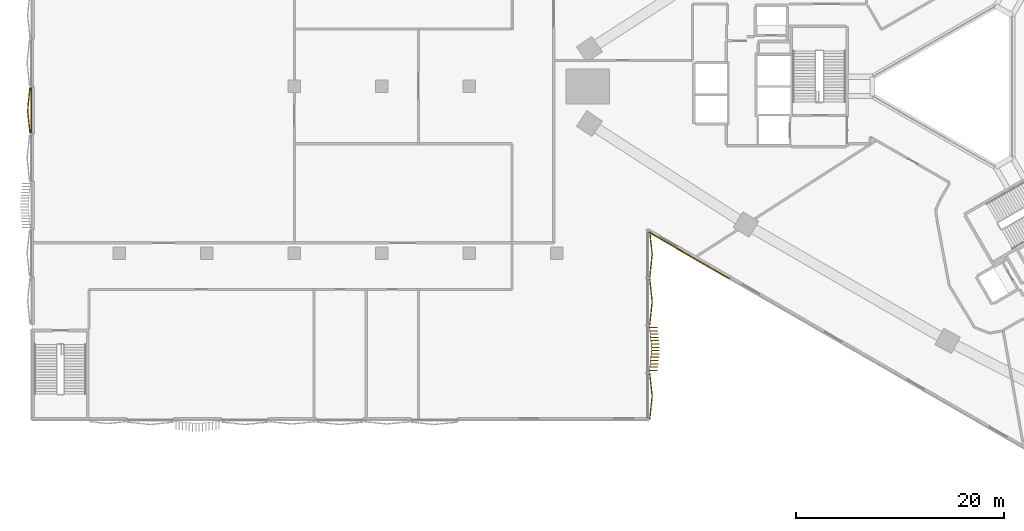
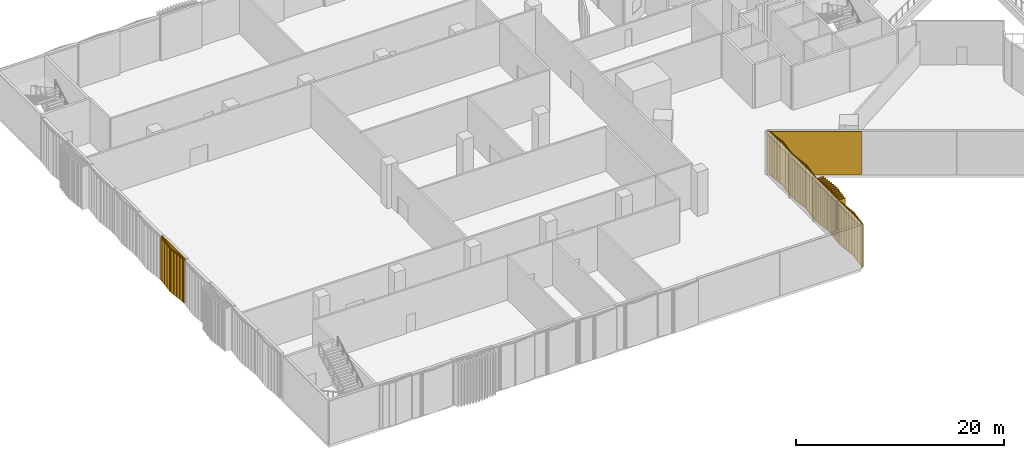
# One storey, part 24 of 31: 7 coverings.
"""IFC4 building model written with IfcOpenShell, lengths in metres."""

from ifc_helpers import new_model, si_unit, direction, frame, frame_2d, origin, origin_2d, place, context, subcontext, project, spatial, rectangle, extrude, source, transform, mapped, material, layer, layer_set, type_object, element, save


model = new_model("IFC4")

# Units and contexts
model_context = context("Model", 3, precision=1e-05, world=origin(), true_north=direction((0.0, 1.0)))
body_context = subcontext(model_context, "Body", "Model", "MODEL_VIEW")
ifc_project = project(units=[si_unit("LENGTHUNIT", "METRE"), si_unit("AREAUNIT", "SQUARE_METRE"), si_unit("VOLUMEUNIT", "CUBIC_METRE"), si_unit("PLANEANGLEUNIT", "RADIAN"), si_unit("MASSUNIT", "GRAM", prefix="KILO")], contexts=[model_context])

# Site, building, storey
site_placement = place(None, origin())
site = spatial("IfcSite", under=ifc_project, at=site_placement, CompositionType="ELEMENT")
building_placement = place(site_placement, origin())
building = spatial("IfcBuilding", under=site, at=building_placement, Name="Tamra Quay Hotel Tower", CompositionType="ELEMENT")
storey_placement = place(building_placement, frame((0.0, 0.0, 14.0)))
storey = spatial("IfcBuildingStorey", under=building, at=storey_placement, Name="L02", CompositionType="ELEMENT", Elevation=14.0)

# Coverings
ifc_material_1 = material(Name="Precast concrete M60 terracotta-coloured pierced relief", Category="masonry")
ifc_layer = layer(ifc_material_1, 0.10009765625)
ifc_layer_set = layer_set([ifc_layer], Name="PIERCED RELIEF PANEL 100")
covering_type_1 = type_object("IfcCoveringType", Name="PIERCED RELIEF PANEL 100", PredefinedType="CLADDING", material=ifc_layer_set)
covering_1_placement = place(storey_placement, frame((-26.070556640625, -16.182861328125, 0.0), z_axis=(0.0, 0.0, 1.0), x_axis=(0.866025403784, -0.5, 0.0)))
element("IfcCovering", 1, at=covering_1_placement, inside=storey, type_object=covering_type_1, Name="Relief panel L02.SW.00", PredefinedType="CLADDING", context=body_context, shape_type="SweptSolid", body=[
    extrude(rectangle(XDim=9.112548828125, YDim=0.10009765625, at=origin_2d()), origin(), (0.0, 0.0, 1.0), 5.14990234375),
])
covering_2_placement = place(storey_placement, frame((-89.14990234375, -2.28564453125, 0.0), z_axis=(0.0, 0.0, 1.0), x_axis=(0.0, -1.0, 0.0)))
element("IfcCovering", 2, at=covering_2_placement, inside=storey, type_object=covering_type_1, Name="Relief panel L02.W.05", PredefinedType="CLADDING", context=body_context, shape_type="SweptSolid", body=[
    extrude(rectangle(XDim=4.551513671875, YDim=0.10009765625, at=origin_2d()), origin(), (0.0, 0.0, 1.0), 5.14990234375),
])
ifc_material_2 = material(Name="Terracotta baguette extruded", Category="masonry")
covering_type_2 = type_object("IfcCoveringType", Name="BAGUETTE SCREEN PODIUM-SHALLOW H5150", PredefinedType="USERDEFINED", material=ifc_material_2)
shared_shape_1 = source(origin(), body_context, "Body", "SweptSolid", [
    extrude(rectangle(XDim=2.234619140625, YDim=0.06005859375, at=frame_2d((1.1171875, 0.030029296875))), frame((-2.228759765625, -0.0576171875, -0.1201171875), z_axis=(0.0, 0.0, 1.0), x_axis=(0.994521895368, -0.104528463268, 0.0)), (0.0, 0.0, 1.0), 0.1201171875),
    extrude(rectangle(XDim=2.234619140625, YDim=0.06005859375, at=frame_2d((1.1171875, 0.030029296875))), frame((-2.228759765625, -0.0576171875, -5.14990234375), z_axis=(0.0, 0.0, 1.0), x_axis=(0.994521895368, -0.104528463268, 0.0)), (0.0, 0.0, 1.0), 0.1201171875),
    extrude(rectangle(XDim=0.094970703125, YDim=0.10009765625, at=frame_2d((0.04736328125, 0.050048828125))), frame((-2.219482421875, -0.13330078125, -5.090087890625)), (0.0, 0.0, 1.0), 5.030029296875),
    extrude(rectangle(XDim=0.094970703125, YDim=0.10009765625, at=frame_2d((0.04736328125, 0.050048828125))), frame((-2.118408203125, -0.14404296875, -5.090087890625)), (0.0, 0.0, 1.0), 5.030029296875),
    extrude(rectangle(XDim=0.094970703125, YDim=0.10009765625, at=frame_2d((0.04736328125, 0.050048828125))), frame((-2.017333984375, -0.154541015625, -5.090087890625)), (0.0, 0.0, 1.0), 5.030029296875),
    extrude(rectangle(XDim=0.094970703125, YDim=0.10009765625, at=frame_2d((0.04736328125, 0.050048828125))), frame((-1.91650390625, -0.1650390625, -5.090087890625)), (0.0, 0.0, 1.0), 5.030029296875),
    extrude(rectangle(XDim=0.094970703125, YDim=0.10009765625, at=frame_2d((0.04736328125, 0.050048828125))), frame((-1.8154296875, -0.17578125, -5.090087890625)), (0.0, 0.0, 1.0), 5.030029296875),
    extrude(rectangle(XDim=0.094970703125, YDim=0.10009765625, at=frame_2d((0.04736328125, 0.050048828125))), frame((-1.71435546875, -0.186279296875, -5.090087890625)), (0.0, 0.0, 1.0), 5.030029296875),
    extrude(rectangle(XDim=0.094970703125, YDim=0.10009765625, at=frame_2d((0.04736328125, 0.050048828125))), frame((-1.61328125, -0.197021484375, -5.090087890625)), (0.0, 0.0, 1.0), 5.030029296875),
    extrude(rectangle(XDim=0.094970703125, YDim=0.10009765625, at=frame_2d((0.04736328125, 0.050048828125))), frame((-1.512451171875, -0.20751953125, -5.090087890625)), (0.0, 0.0, 1.0), 5.030029296875),
    extrude(rectangle(XDim=0.094970703125, YDim=0.10009765625, at=frame_2d((0.04736328125, 0.050048828125))), frame((-1.411376953125, -0.21826171875, -5.090087890625)), (0.0, 0.0, 1.0), 5.030029296875),
    extrude(rectangle(XDim=0.094970703125, YDim=0.10009765625, at=frame_2d((0.04736328125, 0.050048828125))), frame((-1.310302734375, -0.228759765625, -5.090087890625)), (0.0, 0.0, 1.0), 5.030029296875),
    extrude(rectangle(XDim=0.094970703125, YDim=0.10009765625, at=frame_2d((0.04736328125, 0.050048828125))), frame((-1.209228515625, -0.239501953125, -5.090087890625)), (0.0, 0.0, 1.0), 5.030029296875),
    extrude(rectangle(XDim=0.094970703125, YDim=0.10009765625, at=frame_2d((0.04736328125, 0.050048828125))), frame((-1.108154296875, -0.25, -5.090087890625)), (0.0, 0.0, 1.0), 5.030029296875),
    extrude(rectangle(XDim=0.094970703125, YDim=0.10009765625, at=frame_2d((0.04736328125, 0.050048828125))), frame((-1.00732421875, -0.2607421875, -5.090087890625)), (0.0, 0.0, 1.0), 5.030029296875),
    extrude(rectangle(XDim=0.094970703125, YDim=0.10009765625, at=frame_2d((0.04736328125, 0.050048828125))), frame((-0.90625, -0.271240234375, -5.090087890625)), (0.0, 0.0, 1.0), 5.030029296875),
    extrude(rectangle(XDim=0.094970703125, YDim=0.10009765625, at=frame_2d((0.04736328125, 0.050048828125))), frame((-0.80517578125, -0.281982421875, -5.090087890625)), (0.0, 0.0, 1.0), 5.030029296875),
    extrude(rectangle(XDim=0.094970703125, YDim=0.10009765625, at=frame_2d((0.04736328125, 0.050048828125))), frame((-0.7041015625, -0.29248046875, -5.090087890625)), (0.0, 0.0, 1.0), 5.030029296875),
    extrude(rectangle(XDim=0.094970703125, YDim=0.10009765625, at=frame_2d((0.04736328125, 0.050048828125))), frame((-0.60302734375, -0.30322265625, -5.090087890625)), (0.0, 0.0, 1.0), 5.030029296875),
    extrude(rectangle(XDim=0.094970703125, YDim=0.10009765625, at=frame_2d((0.04736328125, 0.050048828125))), frame((-0.502197265625, -0.313720703125, -5.090087890625)), (0.0, 0.0, 1.0), 5.030029296875),
    extrude(rectangle(XDim=0.094970703125, YDim=0.10009765625, at=frame_2d((0.04736328125, 0.050048828125))), frame((-0.401123046875, -0.324462890625, -5.090087890625)), (0.0, 0.0, 1.0), 5.030029296875),
    extrude(rectangle(XDim=0.094970703125, YDim=0.10009765625, at=frame_2d((0.04736328125, 0.050048828125))), frame((-0.300048828125, -0.3349609375, -5.090087890625)), (0.0, 0.0, 1.0), 5.030029296875),
    extrude(rectangle(XDim=0.094970703125, YDim=0.10009765625, at=frame_2d((0.04736328125, 0.050048828125))), frame((-0.198974609375, -0.345703125, -5.090087890625)), (0.0, 0.0, 1.0), 5.030029296875),
    extrude(rectangle(XDim=0.094970703125, YDim=0.10009765625, at=frame_2d((0.04736328125, 0.050048828125))), frame((-0.097900390625, -0.356201171875, -5.090087890625)), (0.0, 0.0, 1.0), 5.030029296875),
    extrude(rectangle(XDim=2.234619140625, YDim=0.06005859375, at=frame_2d((1.1171875, 0.030029296875))), frame((0.00634765625, -0.291259765625, -0.1201171875), z_axis=(0.0, 0.0, 1.0), x_axis=(0.994521895368, 0.104528463268, 0.0)), (0.0, 0.0, 1.0), 0.1201171875),
    extrude(rectangle(XDim=2.234619140625, YDim=0.06005859375, at=frame_2d((1.1171875, 0.030029296875))), frame((0.00634765625, -0.291259765625, -5.14990234375), z_axis=(0.0, 0.0, 1.0), x_axis=(0.994521895368, 0.104528463268, 0.0)), (0.0, 0.0, 1.0), 0.1201171875),
    extrude(rectangle(XDim=0.094970703125, YDim=0.10009765625, at=frame_2d((0.04736328125, 0.050048828125))), frame((0.0029296875, -0.356201171875, -5.090087890625)), (0.0, 0.0, 1.0), 5.030029296875),
    extrude(rectangle(XDim=0.094970703125, YDim=0.10009765625, at=frame_2d((0.04736328125, 0.050048828125))), frame((0.10400390625, -0.345703125, -5.090087890625)), (0.0, 0.0, 1.0), 5.030029296875),
    extrude(rectangle(XDim=0.094970703125, YDim=0.10009765625, at=frame_2d((0.04736328125, 0.050048828125))), frame((0.205078125, -0.3349609375, -5.090087890625)), (0.0, 0.0, 1.0), 5.030029296875),
    extrude(rectangle(XDim=0.094970703125, YDim=0.10009765625, at=frame_2d((0.04736328125, 0.050048828125))), frame((0.30615234375, -0.324462890625, -5.090087890625)), (0.0, 0.0, 1.0), 5.030029296875),
    extrude(rectangle(XDim=0.094970703125, YDim=0.10009765625, at=frame_2d((0.04736328125, 0.050048828125))), frame((0.406982421875, -0.313720703125, -5.090087890625)), (0.0, 0.0, 1.0), 5.030029296875),
    extrude(rectangle(XDim=0.094970703125, YDim=0.10009765625, at=frame_2d((0.04736328125, 0.050048828125))), frame((0.508056640625, -0.30322265625, -5.090087890625)), (0.0, 0.0, 1.0), 5.030029296875),
    extrude(rectangle(XDim=0.094970703125, YDim=0.10009765625, at=frame_2d((0.04736328125, 0.050048828125))), frame((0.609130859375, -0.29248046875, -5.090087890625)), (0.0, 0.0, 1.0), 5.030029296875),
    extrude(rectangle(XDim=0.094970703125, YDim=0.10009765625, at=frame_2d((0.04736328125, 0.050048828125))), frame((0.710205078125, -0.281982421875, -5.090087890625)), (0.0, 0.0, 1.0), 5.030029296875),
    extrude(rectangle(XDim=0.094970703125, YDim=0.10009765625, at=frame_2d((0.04736328125, 0.050048828125))), frame((0.811279296875, -0.271240234375, -5.090087890625)), (0.0, 0.0, 1.0), 5.030029296875),
    extrude(rectangle(XDim=0.094970703125, YDim=0.10009765625, at=frame_2d((0.04736328125, 0.050048828125))), frame((0.912109375, -0.2607421875, -5.090087890625)), (0.0, 0.0, 1.0), 5.030029296875),
    extrude(rectangle(XDim=0.094970703125, YDim=0.10009765625, at=frame_2d((0.04736328125, 0.050048828125))), frame((1.01318359375, -0.25, -5.090087890625)), (0.0, 0.0, 1.0), 5.030029296875),
    extrude(rectangle(XDim=0.094970703125, YDim=0.10009765625, at=frame_2d((0.04736328125, 0.050048828125))), frame((1.1142578125, -0.239501953125, -5.090087890625)), (0.0, 0.0, 1.0), 5.030029296875),
    extrude(rectangle(XDim=0.094970703125, YDim=0.10009765625, at=frame_2d((0.04736328125, 0.050048828125))), frame((1.21533203125, -0.228759765625, -5.090087890625)), (0.0, 0.0, 1.0), 5.030029296875),
    extrude(rectangle(XDim=0.094970703125, YDim=0.10009765625, at=frame_2d((0.04736328125, 0.050048828125))), frame((1.31640625, -0.21826171875, -5.090087890625)), (0.0, 0.0, 1.0), 5.030029296875),
    extrude(rectangle(XDim=0.094970703125, YDim=0.10009765625, at=frame_2d((0.04736328125, 0.050048828125))), frame((1.417236328125, -0.20751953125, -5.090087890625)), (0.0, 0.0, 1.0), 5.030029296875),
    extrude(rectangle(XDim=0.094970703125, YDim=0.10009765625, at=frame_2d((0.04736328125, 0.050048828125))), frame((1.518310546875, -0.197021484375, -5.090087890625)), (0.0, 0.0, 1.0), 5.030029296875),
    extrude(rectangle(XDim=0.094970703125, YDim=0.10009765625, at=frame_2d((0.04736328125, 0.050048828125))), frame((1.619384765625, -0.186279296875, -5.090087890625)), (0.0, 0.0, 1.0), 5.030029296875),
    extrude(rectangle(XDim=0.094970703125, YDim=0.10009765625, at=frame_2d((0.04736328125, 0.050048828125))), frame((1.720458984375, -0.17578125, -5.090087890625)), (0.0, 0.0, 1.0), 5.030029296875),
    extrude(rectangle(XDim=0.094970703125, YDim=0.10009765625, at=frame_2d((0.04736328125, 0.050048828125))), frame((1.821533203125, -0.1650390625, -5.090087890625)), (0.0, 0.0, 1.0), 5.030029296875),
    extrude(rectangle(XDim=0.094970703125, YDim=0.10009765625, at=frame_2d((0.04736328125, 0.050048828125))), frame((1.92236328125, -0.154541015625, -5.090087890625)), (0.0, 0.0, 1.0), 5.030029296875),
    extrude(rectangle(XDim=0.094970703125, YDim=0.10009765625, at=frame_2d((0.04736328125, 0.050048828125))), frame((2.0234375, -0.14404296875, -5.090087890625)), (0.0, 0.0, 1.0), 5.030029296875),
    extrude(rectangle(XDim=0.094970703125, YDim=0.10009765625, at=frame_2d((0.04736328125, 0.050048828125))), frame((2.12451171875, -0.13330078125, -5.090087890625)), (0.0, 0.0, 1.0), 5.030029296875),
])
for number, where, z_axis, x_axis, name in (
    (3, (-29.85205078125, -29.73193359375, 5.14990234375), (0.0, 0.0, 1.0), (0.0, 1.0, 0.0), "Baguette screen L02.E.f00"),
    (4, (-29.85205078125, -20.66015625, 5.14990234375), (0.0, 0.0, 1.0), (0.0, 1.0, 0.0), "Baguette screen L02.E.f02"),
    (5, (-29.85205078125, -16.124267578125, 5.14990234375), (0.0, 0.0, 1.0), (0.0, 1.0, 0.0), "Baguette screen L02.E.f03"),
):
    element("IfcCovering", number, at=place(storey_placement, frame(where, z_axis=z_axis, x_axis=x_axis)), inside=storey, type_object=covering_type_2, Name=name, ObjectType="BAGUETTE SCREEN", PredefinedType="USERDEFINED", context=body_context, shape_type="MappedRepresentation", body=[
        mapped(shared_shape_1, transform((0.0, 0.0, 0.0), scale=1.0)),
    ])
covering_type_3 = type_object("IfcCoveringType", Name="BAGUETTE SCREEN PODIUM-DEEP H5150", PredefinedType="USERDEFINED", material=ifc_material_2)
shared_shape_2 = source(origin(), body_context, "Body", "SweptSolid", [
    extrude(rectangle(XDim=2.234619140625, YDim=0.06005859375, at=frame_2d((1.1171875, 0.030029296875))), frame((-2.228759765625, -0.0576171875, -0.1201171875), z_axis=(0.0, 0.0, 1.0), x_axis=(0.994521895368, -0.104528463268, 0.0)), (0.0, 0.0, 1.0), 0.1201171875),
    extrude(rectangle(XDim=2.234619140625, YDim=0.06005859375, at=frame_2d((1.1171875, 0.030029296875))), frame((-2.228759765625, -0.0576171875, -5.14990234375), z_axis=(0.0, 0.0, 1.0), x_axis=(0.994521895368, -0.104528463268, 0.0)), (0.0, 0.0, 1.0), 0.1201171875),
    extrude(rectangle(XDim=0.10009765625, YDim=0.780029296875, at=frame_2d((0.050048828125, 0.39013671875))), frame((-2.11376953125, -0.82470703125, -5.090087890625)), (0.0, 0.0, 1.0), 5.030029296875),
    extrude(rectangle(XDim=0.10009765625, YDim=0.780029296875, at=frame_2d((0.050048828125, 0.39013671875))), frame((-1.796142578125, -0.858154296875, -5.090087890625)), (0.0, 0.0, 1.0), 5.030029296875),
    extrude(rectangle(XDim=0.10009765625, YDim=0.780029296875, at=frame_2d((0.050048828125, 0.39013671875))), frame((-1.478759765625, -0.891357421875, -5.090087890625)), (0.0, 0.0, 1.0), 5.030029296875),
    extrude(rectangle(XDim=0.10009765625, YDim=0.780029296875, at=frame_2d((0.050048828125, 0.39013671875))), frame((-1.1611328125, -0.9248046875, -5.090087890625)), (0.0, 0.0, 1.0), 5.030029296875),
    extrude(rectangle(XDim=0.10009765625, YDim=0.780029296875, at=frame_2d((0.050048828125, 0.39013671875))), frame((-0.84375, -0.958251953125, -5.090087890625)), (0.0, 0.0, 1.0), 5.030029296875),
    extrude(rectangle(XDim=0.10009765625, YDim=0.780029296875, at=frame_2d((0.050048828125, 0.39013671875))), frame((-0.5263671875, -0.991455078125, -5.090087890625)), (0.0, 0.0, 1.0), 5.030029296875),
    extrude(rectangle(XDim=0.10009765625, YDim=0.780029296875, at=frame_2d((0.050048828125, 0.39013671875))), frame((-0.208740234375, -1.02490234375, -5.090087890625)), (0.0, 0.0, 1.0), 5.030029296875),
    extrude(rectangle(XDim=2.234619140625, YDim=0.06005859375, at=frame_2d((1.1171875, 0.030029296875))), frame((0.00634765625, -0.291259765625, -0.1201171875), z_axis=(0.0, 0.0, 1.0), x_axis=(0.994521895368, 0.104528463268, 0.0)), (0.0, 0.0, 1.0), 0.1201171875),
    extrude(rectangle(XDim=2.234619140625, YDim=0.06005859375, at=frame_2d((1.1171875, 0.030029296875))), frame((0.00634765625, -0.291259765625, -5.14990234375), z_axis=(0.0, 0.0, 1.0), x_axis=(0.994521895368, 0.104528463268, 0.0)), (0.0, 0.0, 1.0), 0.1201171875),
    extrude(rectangle(XDim=0.10009765625, YDim=0.780029296875, at=frame_2d((0.050048828125, 0.39013671875))), frame((0.108642578125, -1.02490234375, -5.090087890625)), (0.0, 0.0, 1.0), 5.030029296875),
    extrude(rectangle(XDim=0.10009765625, YDim=0.780029296875, at=frame_2d((0.050048828125, 0.39013671875))), frame((0.42626953125, -0.991455078125, -5.090087890625)), (0.0, 0.0, 1.0), 5.030029296875),
    extrude(rectangle(XDim=0.10009765625, YDim=0.780029296875, at=frame_2d((0.050048828125, 0.39013671875))), frame((0.74365234375, -0.958251953125, -5.090087890625)), (0.0, 0.0, 1.0), 5.030029296875),
    extrude(rectangle(XDim=0.10009765625, YDim=0.780029296875, at=frame_2d((0.050048828125, 0.39013671875))), frame((1.061279296875, -0.9248046875, -5.090087890625)), (0.0, 0.0, 1.0), 5.030029296875),
    extrude(rectangle(XDim=0.10009765625, YDim=0.780029296875, at=frame_2d((0.050048828125, 0.39013671875))), frame((1.378662109375, -0.891357421875, -5.090087890625)), (0.0, 0.0, 1.0), 5.030029296875),
    extrude(rectangle(XDim=0.10009765625, YDim=0.780029296875, at=frame_2d((0.050048828125, 0.39013671875))), frame((1.6962890625, -0.858154296875, -5.090087890625)), (0.0, 0.0, 1.0), 5.030029296875),
    extrude(rectangle(XDim=0.10009765625, YDim=0.780029296875, at=frame_2d((0.050048828125, 0.39013671875))), frame((2.013671875, -0.82470703125, -5.090087890625)), (0.0, 0.0, 1.0), 5.030029296875),
])
covering_3_placement = place(storey_placement, frame((-29.85205078125, -25.196044921875, 5.14990234375), z_axis=(0.0, 0.0, 1.0), x_axis=(0.0, 1.0, 0.0)))
element("IfcCovering", 6, at=covering_3_placement, inside=storey, type_object=covering_type_3, Name="Baguette screen L02.E.f01", ObjectType="BAGUETTE SCREEN", PredefinedType="USERDEFINED", context=body_context, shape_type="MappedRepresentation", body=[
    mapped(shared_shape_2, transform((0.0, 0.0, 0.0), scale=1.0)),
])
covering_type_4 = type_object("IfcCoveringType", Name="BAGUETTE SCREEN SW-SHALLOW H5150", PredefinedType="USERDEFINED", material=ifc_material_2)
shared_shape_3 = source(origin(), body_context, "Body", "SweptSolid", [
    extrude(rectangle(XDim=2.2548828125, YDim=0.06005859375, at=frame_2d((1.12744140625, 0.030029296875))), frame((-2.248779296875, -0.0576171875, -0.1201171875), z_axis=(0.0, 0.0, 1.0), x_axis=(0.994521895368, -0.104528463268, 0.0)), (0.0, 0.0, 1.0), 0.1201171875),
    extrude(rectangle(XDim=2.2548828125, YDim=0.06005859375, at=frame_2d((1.12744140625, 0.030029296875))), frame((-2.248779296875, -0.0576171875, -5.14990234375), z_axis=(0.0, 0.0, 1.0), x_axis=(0.994521895368, -0.104528463268, 0.0)), (0.0, 0.0, 1.0), 0.1201171875),
    extrude(rectangle(XDim=0.094970703125, YDim=0.10009765625, at=frame_2d((0.04736328125, 0.050048828125))), frame((-2.2412109375, -0.133056640625, -5.090087890625)), (0.0, 0.0, 1.0), 5.030029296875),
    extrude(rectangle(XDim=0.094970703125, YDim=0.10009765625, at=frame_2d((0.04736328125, 0.050048828125))), frame((-2.143798828125, -0.143310546875, -5.090087890625)), (0.0, 0.0, 1.0), 5.030029296875),
    extrude(rectangle(XDim=0.094970703125, YDim=0.10009765625, at=frame_2d((0.04736328125, 0.050048828125))), frame((-2.046142578125, -0.153564453125, -5.090087890625)), (0.0, 0.0, 1.0), 5.030029296875),
    extrude(rectangle(XDim=0.094970703125, YDim=0.10009765625, at=frame_2d((0.04736328125, 0.050048828125))), frame((-1.94873046875, -0.163818359375, -5.090087890625)), (0.0, 0.0, 1.0), 5.030029296875),
    extrude(rectangle(XDim=0.094970703125, YDim=0.10009765625, at=frame_2d((0.04736328125, 0.050048828125))), frame((-1.851318359375, -0.174072265625, -5.090087890625)), (0.0, 0.0, 1.0), 5.030029296875),
    extrude(rectangle(XDim=0.094970703125, YDim=0.10009765625, at=frame_2d((0.04736328125, 0.050048828125))), frame((-1.753662109375, -0.184326171875, -5.090087890625)), (0.0, 0.0, 1.0), 5.030029296875),
    extrude(rectangle(XDim=0.094970703125, YDim=0.10009765625, at=frame_2d((0.04736328125, 0.050048828125))), frame((-1.65625, -0.194580078125, -5.090087890625)), (0.0, 0.0, 1.0), 5.030029296875),
    extrude(rectangle(XDim=0.094970703125, YDim=0.10009765625, at=frame_2d((0.04736328125, 0.050048828125))), frame((-1.558837890625, -0.204833984375, -5.090087890625)), (0.0, 0.0, 1.0), 5.030029296875),
    extrude(rectangle(XDim=0.094970703125, YDim=0.10009765625, at=frame_2d((0.04736328125, 0.050048828125))), frame((-1.461181640625, -0.215087890625, -5.090087890625)), (0.0, 0.0, 1.0), 5.030029296875),
    extrude(rectangle(XDim=0.094970703125, YDim=0.10009765625, at=frame_2d((0.04736328125, 0.050048828125))), frame((-1.36376953125, -0.225341796875, -5.090087890625)), (0.0, 0.0, 1.0), 5.030029296875),
    extrude(rectangle(XDim=0.094970703125, YDim=0.10009765625, at=frame_2d((0.04736328125, 0.050048828125))), frame((-1.266357421875, -0.235595703125, -5.090087890625)), (0.0, 0.0, 1.0), 5.030029296875),
    extrude(rectangle(XDim=0.094970703125, YDim=0.10009765625, at=frame_2d((0.04736328125, 0.050048828125))), frame((-1.168701171875, -0.245849609375, -5.090087890625)), (0.0, 0.0, 1.0), 5.030029296875),
    extrude(rectangle(XDim=0.094970703125, YDim=0.10009765625, at=frame_2d((0.04736328125, 0.050048828125))), frame((-1.0712890625, -0.256103515625, -5.090087890625)), (0.0, 0.0, 1.0), 5.030029296875),
    extrude(rectangle(XDim=0.094970703125, YDim=0.10009765625, at=frame_2d((0.04736328125, 0.050048828125))), frame((-0.9736328125, -0.266357421875, -5.090087890625)), (0.0, 0.0, 1.0), 5.030029296875),
    extrude(rectangle(XDim=0.094970703125, YDim=0.10009765625, at=frame_2d((0.04736328125, 0.050048828125))), frame((-0.876220703125, -0.276611328125, -5.090087890625)), (0.0, 0.0, 1.0), 5.030029296875),
    extrude(rectangle(XDim=0.094970703125, YDim=0.10009765625, at=frame_2d((0.04736328125, 0.050048828125))), frame((-0.77880859375, -0.286865234375, -5.090087890625)), (0.0, 0.0, 1.0), 5.030029296875),
    extrude(rectangle(XDim=0.094970703125, YDim=0.10009765625, at=frame_2d((0.04736328125, 0.050048828125))), frame((-0.68115234375, -0.297119140625, -5.090087890625)), (0.0, 0.0, 1.0), 5.030029296875),
    extrude(rectangle(XDim=0.094970703125, YDim=0.10009765625, at=frame_2d((0.04736328125, 0.050048828125))), frame((-0.583740234375, -0.307373046875, -5.090087890625)), (0.0, 0.0, 1.0), 5.030029296875),
    extrude(rectangle(XDim=0.094970703125, YDim=0.10009765625, at=frame_2d((0.04736328125, 0.050048828125))), frame((-0.486328125, -0.317626953125, -5.090087890625)), (0.0, 0.0, 1.0), 5.030029296875),
    extrude(rectangle(XDim=0.094970703125, YDim=0.10009765625, at=frame_2d((0.04736328125, 0.050048828125))), frame((-0.388671875, -0.327880859375, -5.090087890625)), (0.0, 0.0, 1.0), 5.030029296875),
    extrude(rectangle(XDim=0.094970703125, YDim=0.10009765625, at=frame_2d((0.04736328125, 0.050048828125))), frame((-0.291259765625, -0.338134765625, -5.090087890625)), (0.0, 0.0, 1.0), 5.030029296875),
    extrude(rectangle(XDim=0.094970703125, YDim=0.10009765625, at=frame_2d((0.04736328125, 0.050048828125))), frame((-0.19384765625, -0.348388671875, -5.090087890625)), (0.0, 0.0, 1.0), 5.030029296875),
    extrude(rectangle(XDim=0.094970703125, YDim=0.10009765625, at=frame_2d((0.04736328125, 0.050048828125))), frame((-0.09619140625, -0.358642578125, -5.090087890625)), (0.0, 0.0, 1.0), 5.030029296875),
    extrude(rectangle(XDim=2.2548828125, YDim=0.06005859375, at=frame_2d((1.12744140625, 0.030029296875))), frame((0.00634765625, -0.29345703125, -0.1201171875), z_axis=(0.0, 0.0, 1.0), x_axis=(0.994521895368, 0.104528463268, 0.0)), (0.0, 0.0, 1.0), 0.1201171875),
    extrude(rectangle(XDim=2.2548828125, YDim=0.06005859375, at=frame_2d((1.12744140625, 0.030029296875))), frame((0.00634765625, -0.29345703125, -5.14990234375), z_axis=(0.0, 0.0, 1.0), x_axis=(0.994521895368, 0.104528463268, 0.0)), (0.0, 0.0, 1.0), 0.1201171875),
    extrude(rectangle(XDim=0.094970703125, YDim=0.10009765625, at=frame_2d((0.04736328125, 0.050048828125))), frame((0.001220703125, -0.358642578125, -5.090087890625)), (0.0, 0.0, 1.0), 5.030029296875),
    extrude(rectangle(XDim=0.094970703125, YDim=0.10009765625, at=frame_2d((0.04736328125, 0.050048828125))), frame((0.0986328125, -0.348388671875, -5.090087890625)), (0.0, 0.0, 1.0), 5.030029296875),
    extrude(rectangle(XDim=0.094970703125, YDim=0.10009765625, at=frame_2d((0.04736328125, 0.050048828125))), frame((0.1962890625, -0.338134765625, -5.090087890625)), (0.0, 0.0, 1.0), 5.030029296875),
    extrude(rectangle(XDim=0.094970703125, YDim=0.10009765625, at=frame_2d((0.04736328125, 0.050048828125))), frame((0.293701171875, -0.327880859375, -5.090087890625)), (0.0, 0.0, 1.0), 5.030029296875),
    extrude(rectangle(XDim=0.094970703125, YDim=0.10009765625, at=frame_2d((0.04736328125, 0.050048828125))), frame((0.391357421875, -0.317626953125, -5.090087890625)), (0.0, 0.0, 1.0), 5.030029296875),
    extrude(rectangle(XDim=0.094970703125, YDim=0.10009765625, at=frame_2d((0.04736328125, 0.050048828125))), frame((0.48876953125, -0.307373046875, -5.090087890625)), (0.0, 0.0, 1.0), 5.030029296875),
    extrude(rectangle(XDim=0.094970703125, YDim=0.10009765625, at=frame_2d((0.04736328125, 0.050048828125))), frame((0.586181640625, -0.297119140625, -5.090087890625)), (0.0, 0.0, 1.0), 5.030029296875),
    extrude(rectangle(XDim=0.094970703125, YDim=0.10009765625, at=frame_2d((0.04736328125, 0.050048828125))), frame((0.683837890625, -0.286865234375, -5.090087890625)), (0.0, 0.0, 1.0), 5.030029296875),
    extrude(rectangle(XDim=0.094970703125, YDim=0.10009765625, at=frame_2d((0.04736328125, 0.050048828125))), frame((0.78125, -0.276611328125, -5.090087890625)), (0.0, 0.0, 1.0), 5.030029296875),
    extrude(rectangle(XDim=0.094970703125, YDim=0.10009765625, at=frame_2d((0.04736328125, 0.050048828125))), frame((0.878662109375, -0.266357421875, -5.090087890625)), (0.0, 0.0, 1.0), 5.030029296875),
    extrude(rectangle(XDim=0.094970703125, YDim=0.10009765625, at=frame_2d((0.04736328125, 0.050048828125))), frame((0.976318359375, -0.256103515625, -5.090087890625)), (0.0, 0.0, 1.0), 5.030029296875),
    extrude(rectangle(XDim=0.094970703125, YDim=0.10009765625, at=frame_2d((0.04736328125, 0.050048828125))), frame((1.07373046875, -0.245849609375, -5.090087890625)), (0.0, 0.0, 1.0), 5.030029296875),
    extrude(rectangle(XDim=0.094970703125, YDim=0.10009765625, at=frame_2d((0.04736328125, 0.050048828125))), frame((1.171142578125, -0.235595703125, -5.090087890625)), (0.0, 0.0, 1.0), 5.030029296875),
    extrude(rectangle(XDim=0.094970703125, YDim=0.10009765625, at=frame_2d((0.04736328125, 0.050048828125))), frame((1.268798828125, -0.225341796875, -5.090087890625)), (0.0, 0.0, 1.0), 5.030029296875),
    extrude(rectangle(XDim=0.094970703125, YDim=0.10009765625, at=frame_2d((0.04736328125, 0.050048828125))), frame((1.3662109375, -0.215087890625, -5.090087890625)), (0.0, 0.0, 1.0), 5.030029296875),
    extrude(rectangle(XDim=0.094970703125, YDim=0.10009765625, at=frame_2d((0.04736328125, 0.050048828125))), frame((1.4638671875, -0.204833984375, -5.090087890625)), (0.0, 0.0, 1.0), 5.030029296875),
    extrude(rectangle(XDim=0.094970703125, YDim=0.10009765625, at=frame_2d((0.04736328125, 0.050048828125))), frame((1.561279296875, -0.194580078125, -5.090087890625)), (0.0, 0.0, 1.0), 5.030029296875),
    extrude(rectangle(XDim=0.094970703125, YDim=0.10009765625, at=frame_2d((0.04736328125, 0.050048828125))), frame((1.65869140625, -0.184326171875, -5.090087890625)), (0.0, 0.0, 1.0), 5.030029296875),
    extrude(rectangle(XDim=0.094970703125, YDim=0.10009765625, at=frame_2d((0.04736328125, 0.050048828125))), frame((1.75634765625, -0.174072265625, -5.090087890625)), (0.0, 0.0, 1.0), 5.030029296875),
    extrude(rectangle(XDim=0.094970703125, YDim=0.10009765625, at=frame_2d((0.04736328125, 0.050048828125))), frame((1.853759765625, -0.163818359375, -5.090087890625)), (0.0, 0.0, 1.0), 5.030029296875),
    extrude(rectangle(XDim=0.094970703125, YDim=0.10009765625, at=frame_2d((0.04736328125, 0.050048828125))), frame((1.951171875, -0.153564453125, -5.090087890625)), (0.0, 0.0, 1.0), 5.030029296875),
    extrude(rectangle(XDim=0.094970703125, YDim=0.10009765625, at=frame_2d((0.04736328125, 0.050048828125))), frame((2.048828125, -0.143310546875, -5.090087890625)), (0.0, 0.0, 1.0), 5.030029296875),
    extrude(rectangle(XDim=0.094970703125, YDim=0.10009765625, at=frame_2d((0.04736328125, 0.050048828125))), frame((2.146240234375, -0.133056640625, -5.090087890625)), (0.0, 0.0, 1.0), 5.030029296875),
])
covering_4_placement = place(storey_placement, frame((-89.199951171875, -2.28564453125, 5.14990234375), z_axis=(0.0, 0.0, 1.0), x_axis=(0.0, -1.0, 0.0)))
element("IfcCovering", 7, at=covering_4_placement, inside=storey, type_object=covering_type_4, Name="Baguette screen wing.L02.W.05", ObjectType="BAGUETTE SCREEN", PredefinedType="USERDEFINED", context=body_context, shape_type="MappedRepresentation", body=[
    mapped(shared_shape_3, transform((0.0, 0.0, 0.0), scale=1.0)),
])

save(model, "model.ifc")
